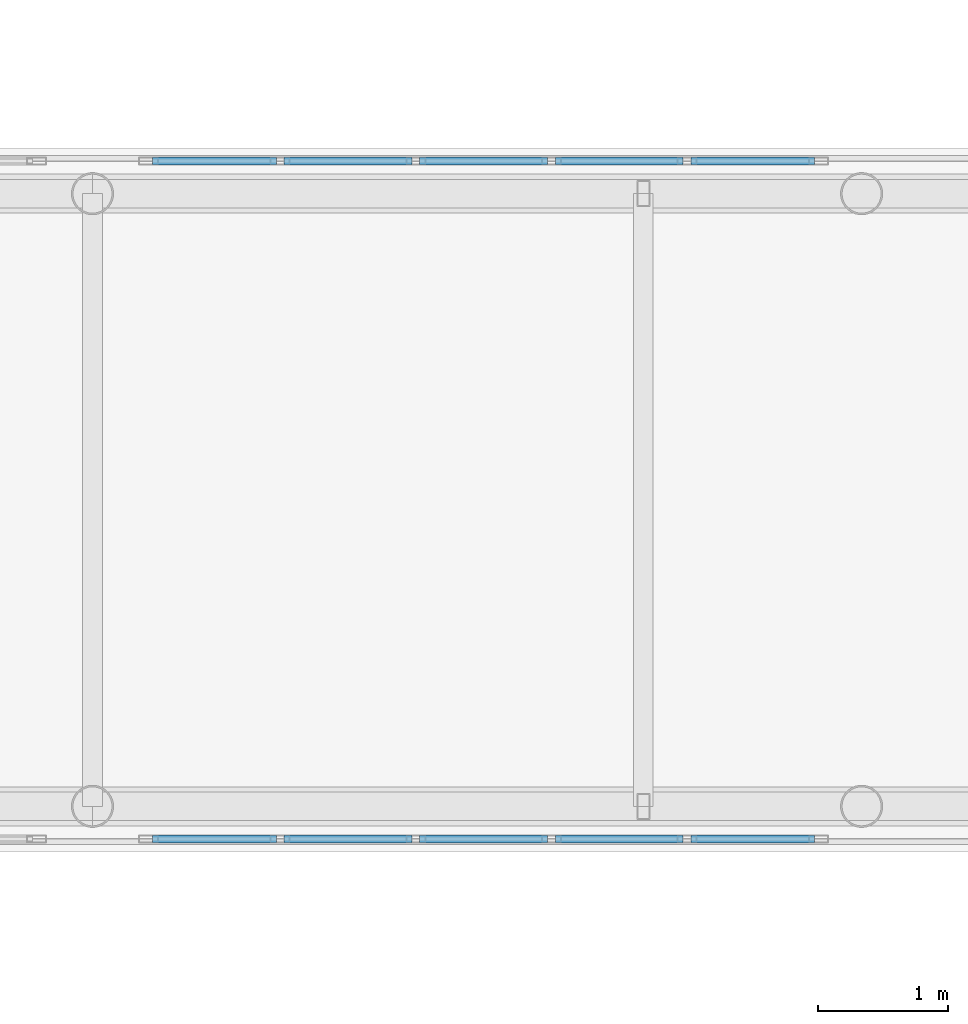
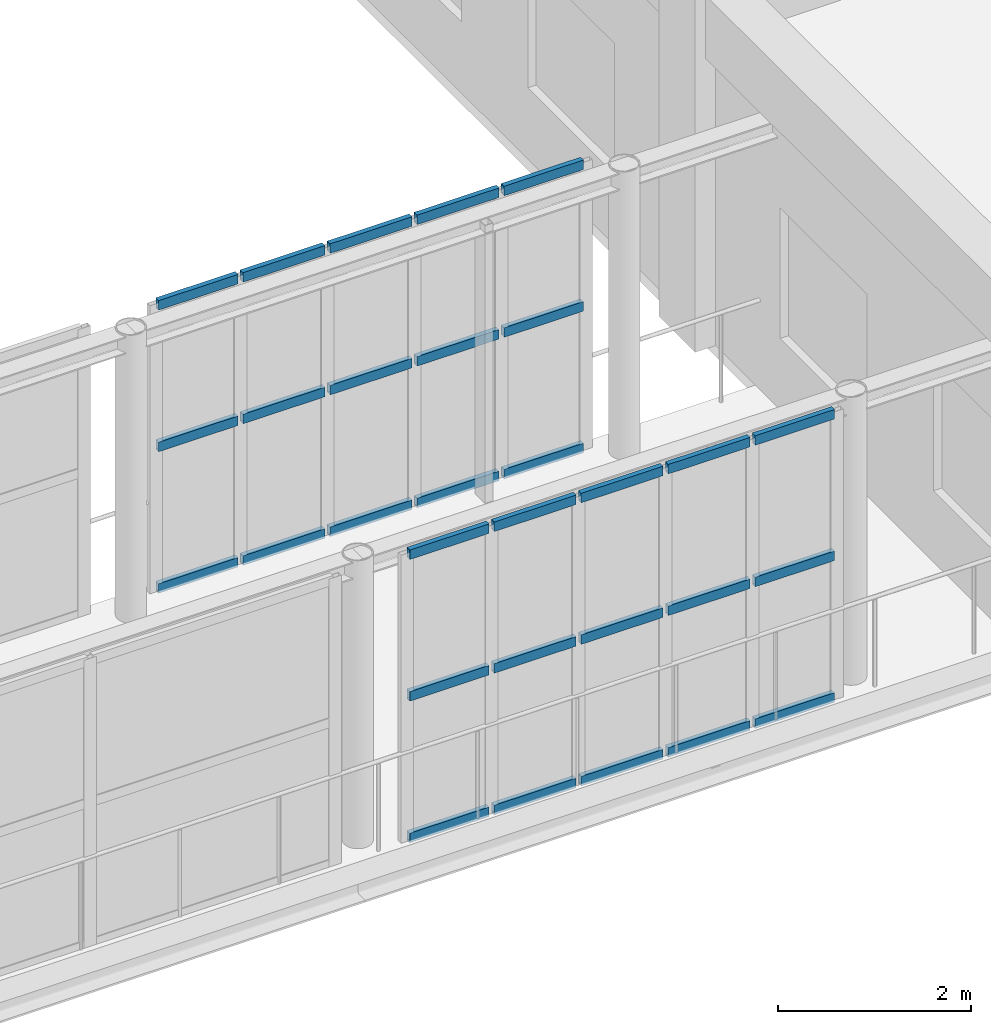
# One storey, part 130 of 175: 30 members, 2 elements without a shape of their own.
"""IFC4 building model written with IfcOpenShell, lengths in metres."""

from ifc_helpers import new_model, si_unit, direction, frame, origin, origin_2d, place, context, subcontext, project, spatial, hollow_rectangle, extrude, material, layer, layer_set, material_profile, profile_set, type_object, element, aggregate, save


model = new_model("IFC4")

# Units and contexts
model_context = context("Model", 3, precision=1e-05, world=origin(), true_north=direction((0.0, 1.0)))
body_context = subcontext(model_context, "Body", "Model", "MODEL_VIEW")
ifc_project = project(units=[si_unit("LENGTHUNIT", "METRE"), si_unit("AREAUNIT", "SQUARE_METRE"), si_unit("VOLUMEUNIT", "CUBIC_METRE"), si_unit("PLANEANGLEUNIT", "RADIAN"), si_unit("MASSUNIT", "GRAM", prefix="KILO")], contexts=[model_context])

# Site, building, storey
site_placement = place(None, origin())
site = spatial("IfcSite", under=ifc_project, at=site_placement, CompositionType="ELEMENT")
building_placement = place(site_placement, origin())
building = spatial("IfcBuilding", under=site, at=building_placement, Name="Zizhar Promenade General Hospital", CompositionType="ELEMENT")
storey_placement = place(building_placement, frame((0.0, 0.0, 4.800048828125)))
storey = spatial("IfcBuildingStorey", under=building, at=storey_placement, Name="L01", CompositionType="ELEMENT", Elevation=4.800048828125)

# Curtain wall, members
ifc_material_1 = material(Name="Anodised aluminium 6063-T6 and low-E glass", Category="aluminium")
ifc_layer = layer(ifc_material_1, 0.159912109375)
ifc_layer_set = layer_set([ifc_layer], Name="Anodised aluminium 6063-T6 and low-E glass")
curtain_wall_type = type_object("IfcCurtainWallType", Name="CW-SKY-GLZ", PredefinedType="NOTDEFINED", material=ifc_layer_set)
curtain_wall_1_placement = place(storey_placement, origin())
curtain_wall_1 = element("IfcCurtainWall", 1, at=curtain_wall_1_placement, inside=storey, type_object=curtain_wall_type, Name="Courtyard Clinical Skybridge Level L01 South Glazing 4", PredefinedType="NOTDEFINED")
ifc_material_2 = material(Name="Anodised aluminium 6063-T6", Category="aluminium")
ifc_material_profile = material_profile(ifc_material_2, hollow_rectangle(XDim=0.06005859375, YDim=0.1201171875, WallThickness=0.00390625, at=origin_2d()))
ifc_profile_set = profile_set([ifc_material_profile], Name="Anodised aluminium 6063-T6")
member_type = type_object("IfcMemberType", Name="CWT-ALU-120x60", PredefinedType="USERDEFINED", material=ifc_profile_set)
member_1_placement = place(storey_placement, frame((122.5400390625, 60.699951171875, 0.030029296875), z_axis=(-1.0, 0.0, 0.0), x_axis=(0.0, -1.0, 0.0)))
member_1 = element("IfcMember", 2, at=member_1_placement, type_object=member_type, Name="CW-15 transom 1.1", ObjectType="TRANSOM", PredefinedType="USERDEFINED", context=body_context, shape_type="SweptSolid", body=[
    extrude(hollow_rectangle(XDim=0.06005859375, YDim=0.1201171875, WallThickness=0.00390625, at=origin_2d()), origin(), (0.0, 0.0, 1.0), 0.949951171875),
])
member_2_placement = place(storey_placement, frame((122.5400390625, 60.699951171875, 1.820068359375), z_axis=(-1.0, 0.0, 0.0), x_axis=(0.0, -1.0, 0.0)))
member_2 = element("IfcMember", 3, at=member_2_placement, type_object=member_type, Name="CW-15 transom 1.2", ObjectType="TRANSOM", PredefinedType="USERDEFINED", context=body_context, shape_type="SweptSolid", body=[
    extrude(hollow_rectangle(XDim=0.06005859375, YDim=0.1201171875, WallThickness=0.00390625, at=origin_2d()), origin(), (0.0, 0.0, 1.0), 0.949951171875),
])
member_3_placement = place(storey_placement, frame((122.5400390625, 60.699951171875, 3.60986328125), z_axis=(-1.0, 0.0, 0.0), x_axis=(0.0, -1.0, 0.0)))
member_3 = element("IfcMember", 4, at=member_3_placement, type_object=member_type, Name="CW-15 transom 1.3", ObjectType="TRANSOM", PredefinedType="USERDEFINED", context=body_context, shape_type="SweptSolid", body=[
    extrude(hollow_rectangle(XDim=0.06005859375, YDim=0.1201171875, WallThickness=0.00390625, at=origin_2d()), origin(), (0.0, 0.0, 1.0), 0.949951171875),
])
member_4_placement = place(storey_placement, frame((121.530029296875, 60.699951171875, 0.030029296875), z_axis=(-1.0, 0.0, 0.0), x_axis=(0.0, -1.0, 0.0)))
member_4 = element("IfcMember", 5, at=member_4_placement, type_object=member_type, Name="CW-15 transom 2.1", ObjectType="TRANSOM", PredefinedType="USERDEFINED", context=body_context, shape_type="SweptSolid", body=[
    extrude(hollow_rectangle(XDim=0.06005859375, YDim=0.1201171875, WallThickness=0.00390625, at=origin_2d()), origin(), (0.0, 0.0, 1.0), 0.97998046875),
])
member_5_placement = place(storey_placement, frame((121.530029296875, 60.699951171875, 1.820068359375), z_axis=(-1.0, 0.0, 0.0), x_axis=(0.0, -1.0, 0.0)))
member_5 = element("IfcMember", 6, at=member_5_placement, type_object=member_type, Name="CW-15 transom 2.2", ObjectType="TRANSOM", PredefinedType="USERDEFINED", context=body_context, shape_type="SweptSolid", body=[
    extrude(hollow_rectangle(XDim=0.06005859375, YDim=0.1201171875, WallThickness=0.00390625, at=origin_2d()), origin(), (0.0, 0.0, 1.0), 0.97998046875),
])
member_6_placement = place(storey_placement, frame((121.530029296875, 60.699951171875, 3.60986328125), z_axis=(-1.0, 0.0, 0.0), x_axis=(0.0, -1.0, 0.0)))
member_6 = element("IfcMember", 7, at=member_6_placement, type_object=member_type, Name="CW-15 transom 2.3", ObjectType="TRANSOM", PredefinedType="USERDEFINED", context=body_context, shape_type="SweptSolid", body=[
    extrude(hollow_rectangle(XDim=0.06005859375, YDim=0.1201171875, WallThickness=0.00390625, at=origin_2d()), origin(), (0.0, 0.0, 1.0), 0.97998046875),
])
member_7_placement = place(storey_placement, frame((120.489990234375, 60.699951171875, 0.030029296875), z_axis=(-1.0, 0.0, 0.0), x_axis=(0.0, -1.0, 0.0)))
member_7 = element("IfcMember", 8, at=member_7_placement, type_object=member_type, Name="CW-15 transom 3.1", ObjectType="TRANSOM", PredefinedType="USERDEFINED", context=body_context, shape_type="SweptSolid", body=[
    extrude(hollow_rectangle(XDim=0.06005859375, YDim=0.1201171875, WallThickness=0.00390625, at=origin_2d()), origin(), (0.0, 0.0, 1.0), 0.97998046875),
])
member_8_placement = place(storey_placement, frame((120.489990234375, 60.699951171875, 1.820068359375), z_axis=(-1.0, 0.0, 0.0), x_axis=(0.0, -1.0, 0.0)))
member_8 = element("IfcMember", 9, at=member_8_placement, type_object=member_type, Name="CW-15 transom 3.2", ObjectType="TRANSOM", PredefinedType="USERDEFINED", context=body_context, shape_type="SweptSolid", body=[
    extrude(hollow_rectangle(XDim=0.06005859375, YDim=0.1201171875, WallThickness=0.00390625, at=origin_2d()), origin(), (0.0, 0.0, 1.0), 0.97998046875),
])
member_9_placement = place(storey_placement, frame((120.489990234375, 60.699951171875, 3.60986328125), z_axis=(-1.0, 0.0, 0.0), x_axis=(0.0, -1.0, 0.0)))
member_9 = element("IfcMember", 10, at=member_9_placement, type_object=member_type, Name="CW-15 transom 3.3", ObjectType="TRANSOM", PredefinedType="USERDEFINED", context=body_context, shape_type="SweptSolid", body=[
    extrude(hollow_rectangle(XDim=0.06005859375, YDim=0.1201171875, WallThickness=0.00390625, at=origin_2d()), origin(), (0.0, 0.0, 1.0), 0.97998046875),
])
member_10_placement = place(storey_placement, frame((119.449951171875, 60.699951171875, 0.030029296875), z_axis=(-1.0, 0.0, 0.0), x_axis=(0.0, -1.0, 0.0)))
member_10 = element("IfcMember", 11, at=member_10_placement, type_object=member_type, Name="CW-15 transom 4.1", ObjectType="TRANSOM", PredefinedType="USERDEFINED", context=body_context, shape_type="SweptSolid", body=[
    extrude(hollow_rectangle(XDim=0.06005859375, YDim=0.1201171875, WallThickness=0.00390625, at=origin_2d()), origin(), (0.0, 0.0, 1.0), 0.97998046875),
])
member_11_placement = place(storey_placement, frame((119.449951171875, 60.699951171875, 1.820068359375), z_axis=(-1.0, 0.0, 0.0), x_axis=(0.0, -1.0, 0.0)))
member_11 = element("IfcMember", 12, at=member_11_placement, type_object=member_type, Name="CW-15 transom 4.2", ObjectType="TRANSOM", PredefinedType="USERDEFINED", context=body_context, shape_type="SweptSolid", body=[
    extrude(hollow_rectangle(XDim=0.06005859375, YDim=0.1201171875, WallThickness=0.00390625, at=origin_2d()), origin(), (0.0, 0.0, 1.0), 0.97998046875),
])
member_12_placement = place(storey_placement, frame((119.449951171875, 60.699951171875, 3.60986328125), z_axis=(-1.0, 0.0, 0.0), x_axis=(0.0, -1.0, 0.0)))
member_12 = element("IfcMember", 13, at=member_12_placement, type_object=member_type, Name="CW-15 transom 4.3", ObjectType="TRANSOM", PredefinedType="USERDEFINED", context=body_context, shape_type="SweptSolid", body=[
    extrude(hollow_rectangle(XDim=0.06005859375, YDim=0.1201171875, WallThickness=0.00390625, at=origin_2d()), origin(), (0.0, 0.0, 1.0), 0.97998046875),
])
member_13_placement = place(storey_placement, frame((118.409912109375, 60.699951171875, 0.030029296875), z_axis=(-1.0, 0.0, 0.0), x_axis=(0.0, -1.0, 0.0)))
member_13 = element("IfcMember", 14, at=member_13_placement, type_object=member_type, Name="CW-15 transom 5.1", ObjectType="TRANSOM", PredefinedType="USERDEFINED", context=body_context, shape_type="SweptSolid", body=[
    extrude(hollow_rectangle(XDim=0.06005859375, YDim=0.1201171875, WallThickness=0.00390625, at=origin_2d()), origin(), (0.0, 0.0, 1.0), 0.949951171875),
])
member_14_placement = place(storey_placement, frame((118.409912109375, 60.699951171875, 1.820068359375), z_axis=(-1.0, 0.0, 0.0), x_axis=(0.0, -1.0, 0.0)))
member_14 = element("IfcMember", 15, at=member_14_placement, type_object=member_type, Name="CW-15 transom 5.2", ObjectType="TRANSOM", PredefinedType="USERDEFINED", context=body_context, shape_type="SweptSolid", body=[
    extrude(hollow_rectangle(XDim=0.06005859375, YDim=0.1201171875, WallThickness=0.00390625, at=origin_2d()), origin(), (0.0, 0.0, 1.0), 0.949951171875),
])
member_15_placement = place(storey_placement, frame((118.409912109375, 60.699951171875, 3.60986328125), z_axis=(-1.0, 0.0, 0.0), x_axis=(0.0, -1.0, 0.0)))
member_15 = element("IfcMember", 16, at=member_15_placement, type_object=member_type, Name="CW-15 transom 5.3", ObjectType="TRANSOM", PredefinedType="USERDEFINED", context=body_context, shape_type="SweptSolid", body=[
    extrude(hollow_rectangle(XDim=0.06005859375, YDim=0.1201171875, WallThickness=0.00390625, at=origin_2d()), origin(), (0.0, 0.0, 1.0), 0.949951171875),
])
aggregate(curtain_wall_1, [member_1, member_2, member_3, member_4, member_5, member_6, member_7, member_8, member_9, member_10, member_11, member_12, member_13, member_14, member_15])

curtain_wall_2_placement = place(storey_placement, origin())
curtain_wall_2 = element("IfcCurtainWall", 17, at=curtain_wall_2_placement, inside=storey, type_object=curtain_wall_type, Name="Courtyard Clinical Skybridge Level L01 North Glazing 4", PredefinedType="NOTDEFINED")
member_16_placement = place(storey_placement, frame((117.4599609375, 65.89990234375, 0.030029296875), z_axis=(1.0, 0.0, 0.0), x_axis=(0.0, 1.0, 0.0)))
member_16 = element("IfcMember", 18, at=member_16_placement, type_object=member_type, Name="CW-15 transom 1.1", ObjectType="TRANSOM", PredefinedType="USERDEFINED", context=body_context, shape_type="SweptSolid", body=[
    extrude(hollow_rectangle(XDim=0.06005859375, YDim=0.1201171875, WallThickness=0.00390625, at=origin_2d()), origin(), (0.0, 0.0, 1.0), 0.949951171875),
])
member_17_placement = place(storey_placement, frame((117.4599609375, 65.89990234375, 1.820068359375), z_axis=(1.0, 0.0, 0.0), x_axis=(0.0, 1.0, 0.0)))
member_17 = element("IfcMember", 19, at=member_17_placement, type_object=member_type, Name="CW-15 transom 1.2", ObjectType="TRANSOM", PredefinedType="USERDEFINED", context=body_context, shape_type="SweptSolid", body=[
    extrude(hollow_rectangle(XDim=0.06005859375, YDim=0.1201171875, WallThickness=0.00390625, at=origin_2d()), origin(), (0.0, 0.0, 1.0), 0.949951171875),
])
member_18_placement = place(storey_placement, frame((117.4599609375, 65.89990234375, 3.60986328125), z_axis=(1.0, 0.0, 0.0), x_axis=(0.0, 1.0, 0.0)))
member_18 = element("IfcMember", 20, at=member_18_placement, type_object=member_type, Name="CW-15 transom 1.3", ObjectType="TRANSOM", PredefinedType="USERDEFINED", context=body_context, shape_type="SweptSolid", body=[
    extrude(hollow_rectangle(XDim=0.06005859375, YDim=0.1201171875, WallThickness=0.00390625, at=origin_2d()), origin(), (0.0, 0.0, 1.0), 0.949951171875),
])
member_19_placement = place(storey_placement, frame((118.469970703125, 65.89990234375, 0.030029296875), z_axis=(1.0, 0.0, 0.0), x_axis=(0.0, 1.0, 0.0)))
member_19 = element("IfcMember", 21, at=member_19_placement, type_object=member_type, Name="CW-15 transom 2.1", ObjectType="TRANSOM", PredefinedType="USERDEFINED", context=body_context, shape_type="SweptSolid", body=[
    extrude(hollow_rectangle(XDim=0.06005859375, YDim=0.1201171875, WallThickness=0.00390625, at=origin_2d()), origin(), (0.0, 0.0, 1.0), 0.97998046875),
])
member_20_placement = place(storey_placement, frame((118.469970703125, 65.89990234375, 1.820068359375), z_axis=(1.0, 0.0, 0.0), x_axis=(0.0, 1.0, 0.0)))
member_20 = element("IfcMember", 22, at=member_20_placement, type_object=member_type, Name="CW-15 transom 2.2", ObjectType="TRANSOM", PredefinedType="USERDEFINED", context=body_context, shape_type="SweptSolid", body=[
    extrude(hollow_rectangle(XDim=0.06005859375, YDim=0.1201171875, WallThickness=0.00390625, at=origin_2d()), origin(), (0.0, 0.0, 1.0), 0.97998046875),
])
member_21_placement = place(storey_placement, frame((118.469970703125, 65.89990234375, 3.60986328125), z_axis=(1.0, 0.0, 0.0), x_axis=(0.0, 1.0, 0.0)))
member_21 = element("IfcMember", 23, at=member_21_placement, type_object=member_type, Name="CW-15 transom 2.3", ObjectType="TRANSOM", PredefinedType="USERDEFINED", context=body_context, shape_type="SweptSolid", body=[
    extrude(hollow_rectangle(XDim=0.06005859375, YDim=0.1201171875, WallThickness=0.00390625, at=origin_2d()), origin(), (0.0, 0.0, 1.0), 0.97998046875),
])
member_22_placement = place(storey_placement, frame((119.510009765625, 65.89990234375, 0.030029296875), z_axis=(1.0, 0.0, 0.0), x_axis=(0.0, 1.0, 0.0)))
member_22 = element("IfcMember", 24, at=member_22_placement, type_object=member_type, Name="CW-15 transom 3.1", ObjectType="TRANSOM", PredefinedType="USERDEFINED", context=body_context, shape_type="SweptSolid", body=[
    extrude(hollow_rectangle(XDim=0.06005859375, YDim=0.1201171875, WallThickness=0.00390625, at=origin_2d()), origin(), (0.0, 0.0, 1.0), 0.97998046875),
])
member_23_placement = place(storey_placement, frame((119.510009765625, 65.89990234375, 1.820068359375), z_axis=(1.0, 0.0, 0.0), x_axis=(0.0, 1.0, 0.0)))
member_23 = element("IfcMember", 25, at=member_23_placement, type_object=member_type, Name="CW-15 transom 3.2", ObjectType="TRANSOM", PredefinedType="USERDEFINED", context=body_context, shape_type="SweptSolid", body=[
    extrude(hollow_rectangle(XDim=0.06005859375, YDim=0.1201171875, WallThickness=0.00390625, at=origin_2d()), origin(), (0.0, 0.0, 1.0), 0.97998046875),
])
member_24_placement = place(storey_placement, frame((119.510009765625, 65.89990234375, 3.60986328125), z_axis=(1.0, 0.0, 0.0), x_axis=(0.0, 1.0, 0.0)))
member_24 = element("IfcMember", 26, at=member_24_placement, type_object=member_type, Name="CW-15 transom 3.3", ObjectType="TRANSOM", PredefinedType="USERDEFINED", context=body_context, shape_type="SweptSolid", body=[
    extrude(hollow_rectangle(XDim=0.06005859375, YDim=0.1201171875, WallThickness=0.00390625, at=origin_2d()), origin(), (0.0, 0.0, 1.0), 0.97998046875),
])
member_25_placement = place(storey_placement, frame((120.550048828125, 65.89990234375, 0.030029296875), z_axis=(1.0, 0.0, 0.0), x_axis=(0.0, 1.0, 0.0)))
member_25 = element("IfcMember", 27, at=member_25_placement, type_object=member_type, Name="CW-15 transom 4.1", ObjectType="TRANSOM", PredefinedType="USERDEFINED", context=body_context, shape_type="SweptSolid", body=[
    extrude(hollow_rectangle(XDim=0.06005859375, YDim=0.1201171875, WallThickness=0.00390625, at=origin_2d()), origin(), (0.0, 0.0, 1.0), 0.97998046875),
])
member_26_placement = place(storey_placement, frame((120.550048828125, 65.89990234375, 1.820068359375), z_axis=(1.0, 0.0, 0.0), x_axis=(0.0, 1.0, 0.0)))
member_26 = element("IfcMember", 28, at=member_26_placement, type_object=member_type, Name="CW-15 transom 4.2", ObjectType="TRANSOM", PredefinedType="USERDEFINED", context=body_context, shape_type="SweptSolid", body=[
    extrude(hollow_rectangle(XDim=0.06005859375, YDim=0.1201171875, WallThickness=0.00390625, at=origin_2d()), origin(), (0.0, 0.0, 1.0), 0.97998046875),
])
member_27_placement = place(storey_placement, frame((120.550048828125, 65.89990234375, 3.60986328125), z_axis=(1.0, 0.0, 0.0), x_axis=(0.0, 1.0, 0.0)))
member_27 = element("IfcMember", 29, at=member_27_placement, type_object=member_type, Name="CW-15 transom 4.3", ObjectType="TRANSOM", PredefinedType="USERDEFINED", context=body_context, shape_type="SweptSolid", body=[
    extrude(hollow_rectangle(XDim=0.06005859375, YDim=0.1201171875, WallThickness=0.00390625, at=origin_2d()), origin(), (0.0, 0.0, 1.0), 0.97998046875),
])
member_28_placement = place(storey_placement, frame((121.590087890625, 65.89990234375, 0.030029296875), z_axis=(1.0, 0.0, 0.0), x_axis=(0.0, 1.0, 0.0)))
member_28 = element("IfcMember", 30, at=member_28_placement, type_object=member_type, Name="CW-15 transom 5.1", ObjectType="TRANSOM", PredefinedType="USERDEFINED", context=body_context, shape_type="SweptSolid", body=[
    extrude(hollow_rectangle(XDim=0.06005859375, YDim=0.1201171875, WallThickness=0.00390625, at=origin_2d()), origin(), (0.0, 0.0, 1.0), 0.949951171875),
])
member_29_placement = place(storey_placement, frame((121.590087890625, 65.89990234375, 1.820068359375), z_axis=(1.0, 0.0, 0.0), x_axis=(0.0, 1.0, 0.0)))
member_29 = element("IfcMember", 31, at=member_29_placement, type_object=member_type, Name="CW-15 transom 5.2", ObjectType="TRANSOM", PredefinedType="USERDEFINED", context=body_context, shape_type="SweptSolid", body=[
    extrude(hollow_rectangle(XDim=0.06005859375, YDim=0.1201171875, WallThickness=0.00390625, at=origin_2d()), origin(), (0.0, 0.0, 1.0), 0.949951171875),
])
member_30_placement = place(storey_placement, frame((121.590087890625, 65.89990234375, 3.60986328125), z_axis=(1.0, 0.0, 0.0), x_axis=(0.0, 1.0, 0.0)))
member_30 = element("IfcMember", 32, at=member_30_placement, type_object=member_type, Name="CW-15 transom 5.3", ObjectType="TRANSOM", PredefinedType="USERDEFINED", context=body_context, shape_type="SweptSolid", body=[
    extrude(hollow_rectangle(XDim=0.06005859375, YDim=0.1201171875, WallThickness=0.00390625, at=origin_2d()), origin(), (0.0, 0.0, 1.0), 0.949951171875),
])
aggregate(curtain_wall_2, [member_16, member_17, member_18, member_19, member_20, member_21, member_22, member_23, member_24, member_25, member_26, member_27, member_28, member_29, member_30])

save(model, "model.ifc")
